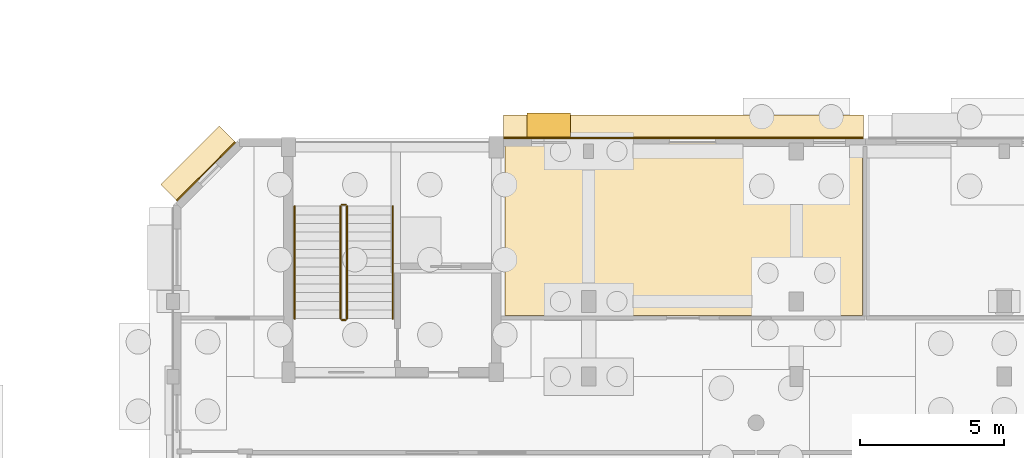
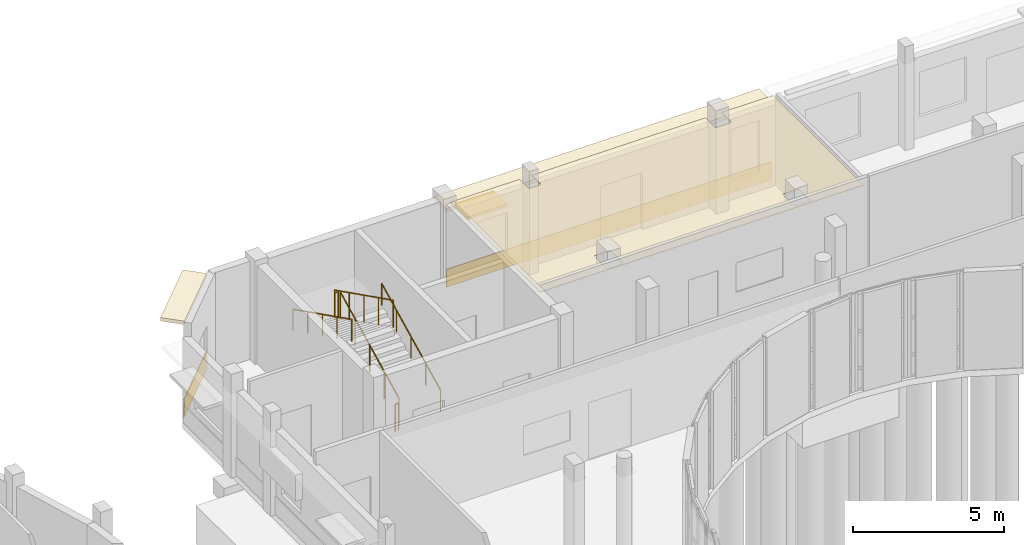
# One storey, part 86 of 93: 6 railings, 5 coverings, 1 shading device.
"""IFC4 building model written with IfcOpenShell, lengths in metres."""

from ifc_helpers import new_model, si_unit, direction, frame, origin, origin_2d, place, context, subcontext, project, spatial, polyline, rectangle, circle, outline, extrude, material, layer, layer_set, type_object, element, save


model = new_model("IFC4")

# Units and contexts
model_context = context("Model", 3, precision=1e-05, world=origin(), true_north=direction((0.0, 1.0)))
body_context = subcontext(model_context, "Body", "Model", "MODEL_VIEW")
ifc_project = project(units=[si_unit("LENGTHUNIT", "METRE"), si_unit("AREAUNIT", "SQUARE_METRE"), si_unit("VOLUMEUNIT", "CUBIC_METRE"), si_unit("PLANEANGLEUNIT", "RADIAN"), si_unit("MASSUNIT", "GRAM", prefix="KILO")], contexts=[model_context])

# Site, building, storey
site_placement = place(None, origin())
site = spatial("IfcSite", under=ifc_project, at=site_placement, CompositionType="ELEMENT")
building_placement = place(site_placement, origin())
building = spatial("IfcBuilding", under=site, at=building_placement, Name="Kelanivale Promenade Academy", CompositionType="ELEMENT")
storey_placement = place(building_placement, origin())
storey = spatial("IfcBuildingStorey", under=building, at=storey_placement, Name="L00", CompositionType="ELEMENT", Elevation=0.0)

# Coverings
ifc_material_1 = material(Name="Warm ivory Art Deco stucco frieze band 40 mm", Category="masonry")
ifc_layer_1 = layer(ifc_material_1, 0.0400390625)
ifc_layer_set_1 = layer_set([ifc_layer_1], Name="Warm ivory Art Deco stucco frieze band 40 mm")
covering_type_1 = type_object("IfcCoveringType", Name="COV-CLD2 Warm ivory Art Deco stucco frieze ba", PredefinedType="CLADDING", material=ifc_layer_set_1)
covering_1_placement = place(storey_placement, frame((60.883056640625, 80.25, 3.115234375), z_axis=(0.0, 0.0, 1.0), x_axis=(-1.0, 0.0, 0.0)))
element("IfcCovering", 1, at=covering_1_placement, inside=storey, type_object=covering_type_1, Name="Art Deco projecting 820 mm streamline sunshade eyebrow ledge", PredefinedType="CLADDING", context=body_context, shape_type="SweptSolid", body=[
    extrude(rectangle(XDim=12.47509765625, YDim=0.820068359375, at=origin_2d()), origin(), (0.0, 0.0, 1.0), 0.139892578125),
])
covering_2_placement = place(storey_placement, frame((60.883056640625, 79.864990234375, 0.06005859375), z_axis=(0.0, 0.0, 1.0), x_axis=(-1.0, 0.0, 0.0)))
element("IfcCovering", 2, at=covering_2_placement, inside=storey, type_object=covering_type_1, Name="Art Deco ivory stucco sill frieze band", PredefinedType="CLADDING", context=body_context, shape_type="SweptSolid", body=[
    extrude(rectangle(XDim=12.47509765625, YDim=0.0400390625, at=origin_2d()), origin(), (0.0, 0.0, 1.0), 0.719970703125),
])
covering_3_placement = place(storey_placement, frame((44.072021484375, 78.97802734375, 3.81982421875), z_axis=(0.0, 0.0, 1.0), x_axis=(-0.707106781187, -0.707106781187, 0.0)))
element("IfcCovering", 3, at=covering_3_placement, inside=storey, type_object=covering_type_1, Name="Art Deco projecting 820 mm streamline sunshade eyebrow ledge", PredefinedType="CLADDING", context=body_context, shape_type="SweptSolid", body=[
    extrude(rectangle(XDim=2.865966796875, YDim=0.820068359375, at=origin_2d()), origin(), (0.0, 0.0, 1.0), 0.139892578125),
])
covering_4_placement = place(storey_placement, frame((44.343994140625, 78.7060546875, 0.06005859375), z_axis=(0.0, 0.0, 1.0), x_axis=(-0.707106781187, -0.707106781187, 0.0)))
element("IfcCovering", 4, at=covering_4_placement, inside=storey, type_object=covering_type_1, Name="Art Deco ivory stucco sill frieze band", PredefinedType="CLADDING", context=body_context, shape_type="SweptSolid", body=[
    extrude(rectangle(XDim=2.865966796875, YDim=0.0400390625, at=origin_2d()), origin(), (0.0, 0.0, 1.0), 0.719970703125),
])
ifc_material_2 = material(Name="Acoustic mineral-fibre ceiling tile 25 mm", Category="gypsum")
ifc_layer_2 = layer(ifc_material_2, 0.02490234375)
ifc_layer_set_2 = layer_set([ifc_layer_2], Name="Acoustic mineral-fibre ceiling tile 25 mm")
covering_type_2 = type_object("IfcCoveringType", Name="COV-CLG1 Acoustic mineral-fibre ceiling tile ", PredefinedType="CEILING", material=ifc_layer_set_2)
covering_5_placement = place(storey_placement, frame((0.0, 0.0, 3.550048828125)))
element("IfcCovering", 5, at=covering_5_placement, inside=storey, type_object=covering_type_2, Name="Junior Classroom North 1 acoustic suspended ceiling", PredefinedType="CEILING", context=body_context, shape_type="SweptSolid", body=[
    extrude(outline(polyline([(67.090087890625, 79.699951171875), (65.110107421875, 79.699951171875), (65.110107421875, 79.080078125), (65.110107421875, 79.075927734375), (65.10888671875, 79.072021484375), (65.10791015625, 79.068115234375), (65.10693359375, 79.06494140625), (65.10498046875, 79.06103515625), (65.10302734375, 79.05810546875), (65.10107421875, 79.054931640625), (65.097900390625, 79.052001953125), (65.094970703125, 79.049072265625), (65.092041015625, 79.047119140625), (65.089111328125, 79.044921875), (65.0849609375, 79.04296875), (65.08203125, 79.0419921875), (65.077880859375, 79.041015625), (65.073974609375, 79.0400390625), (65.070068359375, 79.0400390625), (64.530029296875, 79.0400390625), (64.52587890625, 79.0400390625), (64.52197265625, 79.041015625), (64.51806640625, 79.0419921875), (64.514892578125, 79.04296875), (64.510986328125, 79.044921875), (64.508056640625, 79.047119140625), (64.5048828125, 79.049072265625), (64.501953125, 79.052001953125), (64.4990234375, 79.054931640625), (64.4970703125, 79.05810546875), (64.4951171875, 79.06103515625), (64.492919921875, 79.06494140625), (64.491943359375, 79.068115234375), (64.490966796875, 79.072021484375), (64.489990234375, 79.075927734375), (64.489990234375, 79.080078125), (64.489990234375, 79.699951171875), (57.821044921875, 79.699951171875), (57.822998046875, 79.697998046875), (57.825927734375, 79.695068359375), (57.827880859375, 79.69189453125), (57.830078125, 79.68896484375), (57.83203125, 79.68505859375), (57.8330078125, 79.681884765625), (57.833984375, 79.677978515625), (57.8349609375, 79.674072265625), (57.8349609375, 79.669921875), (57.8349609375, 79.1298828125), (57.8349609375, 79.1259765625), (57.833984375, 79.1220703125), (57.8330078125, 79.117919921875), (57.83203125, 79.114990234375), (57.830078125, 79.111083984375), (57.827880859375, 79.10791015625), (57.825927734375, 79.10498046875), (57.822998046875, 79.10205078125), (57.820068359375, 79.09912109375), (57.81689453125, 79.096923828125), (57.81396484375, 79.094970703125), (57.81005859375, 79.093017578125), (57.806884765625, 79.092041015625), (57.802978515625, 79.091064453125), (57.799072265625, 79.090087890625), (57.794921875, 79.090087890625), (57.405029296875, 79.090087890625), (57.40087890625, 79.090087890625), (57.39697265625, 79.091064453125), (57.39306640625, 79.092041015625), (57.389892578125, 79.093017578125), (57.385986328125, 79.094970703125), (57.383056640625, 79.096923828125), (57.3798828125, 79.09912109375), (57.376953125, 79.10205078125), (57.3740234375, 79.10498046875), (57.3720703125, 79.10791015625), (57.3701171875, 79.111083984375), (57.367919921875, 79.114990234375), (57.366943359375, 79.117919921875), (57.365966796875, 79.1220703125), (57.364990234375, 79.1259765625), (57.364990234375, 79.1298828125), (57.364990234375, 79.669921875), (57.364990234375, 79.674072265625), (57.365966796875, 79.677978515625), (57.366943359375, 79.681884765625), (57.367919921875, 79.68505859375), (57.3701171875, 79.68896484375), (57.3720703125, 79.69189453125), (57.3740234375, 79.695068359375), (57.376953125, 79.697998046875), (57.37890625, 79.699951171875), (54.7099609375, 79.699951171875), (54.7099609375, 79.155029296875), (54.7099609375, 73.7099609375), (67.090087890625, 73.7099609375), (67.090087890625, 79.699951171875)]), holes=[polyline([(65.110107421875, 73.85498046875), (65.110107421875, 73.85107421875), (65.10888671875, 73.846923828125), (65.10791015625, 73.843017578125), (65.10693359375, 73.840087890625), (65.10498046875, 73.8359375), (65.10302734375, 73.8330078125), (65.10107421875, 73.830078125), (65.097900390625, 73.826904296875), (65.094970703125, 73.823974609375), (65.092041015625, 73.822021484375), (65.089111328125, 73.820068359375), (65.0849609375, 73.818115234375), (65.08203125, 73.81689453125), (65.077880859375, 73.81591796875), (65.073974609375, 73.81494140625), (65.070068359375, 73.81494140625), (64.530029296875, 73.81494140625), (64.52587890625, 73.81494140625), (64.52197265625, 73.81591796875), (64.51806640625, 73.81689453125), (64.514892578125, 73.818115234375), (64.510986328125, 73.820068359375), (64.508056640625, 73.822021484375), (64.5048828125, 73.823974609375), (64.501953125, 73.826904296875), (64.4990234375, 73.830078125), (64.4970703125, 73.8330078125), (64.4951171875, 73.8359375), (64.492919921875, 73.840087890625), (64.491943359375, 73.843017578125), (64.490966796875, 73.846923828125), (64.489990234375, 73.85107421875), (64.489990234375, 73.85498046875), (64.489990234375, 74.544921875), (64.489990234375, 74.549072265625), (64.490966796875, 74.552978515625), (64.491943359375, 74.556884765625), (64.492919921875, 74.56005859375), (64.4951171875, 74.56396484375), (64.4970703125, 74.56689453125), (64.4990234375, 74.570068359375), (64.501953125, 74.572998046875), (64.5048828125, 74.575927734375), (64.508056640625, 74.577880859375), (64.510986328125, 74.580078125), (64.514892578125, 74.58203125), (64.51806640625, 74.5830078125), (64.52197265625, 74.583984375), (64.52587890625, 74.5849609375), (64.530029296875, 74.5849609375), (65.070068359375, 74.5849609375), (65.073974609375, 74.5849609375), (65.077880859375, 74.583984375), (65.08203125, 74.5830078125), (65.0849609375, 74.58203125), (65.089111328125, 74.580078125), (65.092041015625, 74.577880859375), (65.094970703125, 74.575927734375), (65.097900390625, 74.572998046875), (65.10107421875, 74.570068359375), (65.10302734375, 74.56689453125), (65.10498046875, 74.56396484375), (65.10693359375, 74.56005859375), (65.10791015625, 74.556884765625), (65.10888671875, 74.552978515625), (65.110107421875, 74.549072265625), (65.110107421875, 74.544921875), (65.110107421875, 73.85498046875)]), polyline([(57.909912109375, 73.804931640625), (57.909912109375, 73.801025390625), (57.908935546875, 73.797119140625), (57.907958984375, 73.79296875), (57.906982421875, 73.7900390625), (57.905029296875, 73.785888671875), (57.903076171875, 73.782958984375), (57.90087890625, 73.780029296875), (57.89794921875, 73.777099609375), (57.89501953125, 73.77392578125), (57.89208984375, 73.77197265625), (57.888916015625, 73.77001953125), (57.885009765625, 73.76806640625), (57.882080078125, 73.76708984375), (57.8779296875, 73.76611328125), (57.8740234375, 73.764892578125), (57.8701171875, 73.764892578125), (57.330078125, 73.764892578125), (57.325927734375, 73.764892578125), (57.322021484375, 73.76611328125), (57.318115234375, 73.76708984375), (57.31494140625, 73.76806640625), (57.31103515625, 73.77001953125), (57.30810546875, 73.77197265625), (57.304931640625, 73.77392578125), (57.302001953125, 73.777099609375), (57.299072265625, 73.780029296875), (57.297119140625, 73.782958984375), (57.294921875, 73.785888671875), (57.29296875, 73.7900390625), (57.2919921875, 73.79296875), (57.291015625, 73.797119140625), (57.2900390625, 73.801025390625), (57.2900390625, 73.804931640625), (57.2900390625, 74.594970703125), (57.2900390625, 74.59912109375), (57.291015625, 74.60302734375), (57.2919921875, 74.60693359375), (57.29296875, 74.610107421875), (57.294921875, 74.614013671875), (57.297119140625, 74.616943359375), (57.299072265625, 74.6201171875), (57.302001953125, 74.623046875), (57.304931640625, 74.6259765625), (57.30810546875, 74.6279296875), (57.31103515625, 74.6298828125), (57.31494140625, 74.632080078125), (57.318115234375, 74.633056640625), (57.322021484375, 74.634033203125), (57.325927734375, 74.635009765625), (57.330078125, 74.635009765625), (57.8701171875, 74.635009765625), (57.8740234375, 74.635009765625), (57.8779296875, 74.634033203125), (57.882080078125, 74.633056640625), (57.885009765625, 74.632080078125), (57.888916015625, 74.6298828125), (57.89208984375, 74.6279296875), (57.89501953125, 74.6259765625), (57.89794921875, 74.623046875), (57.90087890625, 74.6201171875), (57.903076171875, 74.616943359375), (57.905029296875, 74.614013671875), (57.906982421875, 74.610107421875), (57.907958984375, 74.60693359375), (57.908935546875, 74.60302734375), (57.909912109375, 74.59912109375), (57.909912109375, 74.594970703125), (57.909912109375, 73.804931640625)])]), origin(), (0.0, 0.0, 1.0), 0.02490234375),
])

# Railings
ifc_material_3 = material(Name="Brushed stainless steel grade 316", Category="steel")
railing_type_1 = type_object("IfcRailingType", Name="GR-01 Stair Guard 1100mm", PredefinedType="BALUSTRADE", material=ifc_material_3)
railing_1_placement = place(storey_placement, frame((49.22509765625, 73.60498046875, 0.14990234375)))
element("IfcRailing", 6, at=railing_1_placement, inside=storey, type_object=railing_type_1, Name="L00 ST-04 stair guard 1", PredefinedType="BALUSTRADE", context=body_context, shape_type="SweptSolid", body=[
    extrude(circle(Radius=0.02392578125, at=origin_2d()), frame((0.0, 0.0, 1.09619140625), z_axis=(0.0, 0.894404793364, 0.447258387967), x_axis=(-1.0, 0.0, 0.0)), (0.0, 0.0, 1.0), 4.3603515625),
    extrude(circle(Radius=0.02099609375, at=origin_2d()), origin(), (0.0, 0.0, 1.0), 1.072021484375),
    extrude(circle(Radius=0.02099609375, at=origin_2d()), frame((0.0, 0.97509765625, 0.487548828125)), (0.0, 0.0, 1.0), 1.072021484375),
    extrude(circle(Radius=0.02099609375, at=origin_2d()), frame((0.0, 1.949951171875, 0.97509765625)), (0.0, 0.0, 1.0), 1.072021484375),
    extrude(circle(Radius=0.02099609375, at=origin_2d()), frame((0.0, 2.9248046875, 1.462646484375)), (0.0, 0.0, 1.0), 1.072021484375),
    extrude(circle(Radius=0.02099609375, at=origin_2d()), frame((0.0, 3.89990234375, 1.9501953125)), (0.0, 0.0, 1.0), 1.072021484375),
])
railing_2_placement = place(storey_placement, frame((49.175048828125, 77.554931640625, 2.10009765625)))
element("IfcRailing", 7, at=railing_2_placement, inside=storey, type_object=railing_type_1, Name="L00 ST-04 stair guard 2", PredefinedType="BALUSTRADE", context=body_context, shape_type="SweptSolid", body=[
    extrude(circle(Radius=0.02392578125, at=origin_2d()), frame((0.0, 0.0, 1.09619140625), z_axis=(-1.0, 0.0, 0.0), x_axis=(0.0, -1.0, 0.0)), (0.0, 0.0, 1.0), 0.1201171875),
    extrude(circle(Radius=0.02099609375, at=origin_2d()), origin(), (0.0, 0.0, 1.0), 1.072021484375),
    extrude(circle(Radius=0.02099609375, at=origin_2d()), frame((-0.1201171875, 0.0, 0.0)), (0.0, 0.0, 1.0), 1.072021484375),
])
railing_3_placement = place(storey_placement, frame((49.0048828125, 77.5048828125, 2.25)))
element("IfcRailing", 8, at=railing_3_placement, inside=storey, type_object=railing_type_1, Name="L00 ST-04 stair guard 3", PredefinedType="BALUSTRADE", context=body_context, shape_type="SweptSolid", body=[
    extrude(circle(Radius=0.02392578125, at=origin_2d()), frame((0.0, 0.0, 1.09619140625), z_axis=(0.0, -0.894427191, 0.4472135955), x_axis=(1.0, 0.0, 0.0)), (0.0, 0.0, 1.0), 4.360107421875),
    extrude(circle(Radius=0.02099609375, at=origin_2d()), origin(), (0.0, 0.0, 1.0), 1.072021484375),
    extrude(circle(Radius=0.02099609375, at=origin_2d()), frame((0.0, -0.97509765625, 0.487548828125)), (0.0, 0.0, 1.0), 1.072021484375),
    extrude(circle(Radius=0.02099609375, at=origin_2d()), frame((0.0, -1.949951171875, 0.97509765625)), (0.0, 0.0, 1.0), 1.072021484375),
    extrude(circle(Radius=0.02099609375, at=origin_2d()), frame((0.0, -2.9248046875, 1.46240234375)), (0.0, 0.0, 1.0), 1.072021484375),
    extrude(circle(Radius=0.02099609375, at=origin_2d()), frame((0.0, -3.89990234375, 1.949951171875)), (0.0, 0.0, 1.0), 1.072021484375),
])
railing_4_placement = place(storey_placement, frame((49.175048828125, 73.554931640625, 0.0)))
element("IfcRailing", 9, at=railing_4_placement, inside=storey, type_object=railing_type_1, Name="L00 ST-04 stair guard 4", PredefinedType="BALUSTRADE", context=body_context, shape_type="SweptSolid", body=[
    extrude(circle(Radius=0.02392578125, at=origin_2d()), frame((0.0, 0.0, 1.09619140625), z_axis=(-1.0, 0.0, 0.0), x_axis=(0.0, -1.0, 0.0)), (0.0, 0.0, 1.0), 0.1201171875),
    extrude(circle(Radius=0.02099609375, at=origin_2d()), origin(), (0.0, 0.0, 1.0), 1.072021484375),
    extrude(circle(Radius=0.02099609375, at=origin_2d()), frame((-0.1201171875, 0.0, 0.0)), (0.0, 0.0, 1.0), 1.072021484375),
])
railing_type_2 = type_object("IfcRailingType", Name="HR-01 Pitch Handrail 900mm", PredefinedType="HANDRAIL", material=ifc_material_3)
railing_5_placement = place(storey_placement, frame((50.81494140625, 73.60498046875, 0.14990234375)))
element("IfcRailing", 10, at=railing_5_placement, inside=storey, type_object=railing_type_2, Name="L00 ST-04 stair handrail 1", PredefinedType="HANDRAIL", context=body_context, shape_type="SweptSolid", body=[
    extrude(circle(Radius=0.02392578125, at=origin_2d()), frame((0.0, 0.0, 0.8759765625), z_axis=(0.0, 0.894404793364, 0.447258387967), x_axis=(-1.0, 0.0, 0.0)), (0.0, 0.0, 1.0), 4.3603515625),
    extrude(circle(Radius=0.02099609375, at=origin_2d()), origin(), (0.0, 0.0, 1.0), 0.851806640625),
    extrude(circle(Radius=0.02099609375, at=origin_2d()), frame((0.0, 0.97509765625, 0.487548828125)), (0.0, 0.0, 1.0), 0.851806640625),
    extrude(circle(Radius=0.02099609375, at=origin_2d()), frame((0.0, 1.949951171875, 0.97509765625)), (0.0, 0.0, 1.0), 0.851806640625),
    extrude(circle(Radius=0.02099609375, at=origin_2d()), frame((0.0, 2.9248046875, 1.462646484375)), (0.0, 0.0, 1.0), 0.851806640625),
    extrude(circle(Radius=0.02099609375, at=origin_2d()), frame((0.0, 3.89990234375, 1.9501953125)), (0.0, 0.0, 1.0), 0.851806640625),
])
railing_6_placement = place(storey_placement, frame((47.4150390625, 77.5048828125, 2.25)))
element("IfcRailing", 11, at=railing_6_placement, inside=storey, type_object=railing_type_2, Name="L00 ST-04 stair handrail 2", PredefinedType="HANDRAIL", context=body_context, shape_type="SweptSolid", body=[
    extrude(circle(Radius=0.02392578125, at=origin_2d()), frame((0.0, 0.0, 0.8759765625), z_axis=(0.0, -0.894427191, 0.4472135955), x_axis=(1.0, 0.0, 0.0)), (0.0, 0.0, 1.0), 4.360107421875),
    extrude(circle(Radius=0.02099609375, at=origin_2d()), origin(), (0.0, 0.0, 1.0), 0.851806640625),
    extrude(circle(Radius=0.02099609375, at=origin_2d()), frame((0.0, -0.97509765625, 0.487548828125)), (0.0, 0.0, 1.0), 0.851806640625),
    extrude(circle(Radius=0.02099609375, at=origin_2d()), frame((0.0, -1.949951171875, 0.97509765625)), (0.0, 0.0, 1.0), 0.851806640625),
    extrude(circle(Radius=0.02099609375, at=origin_2d()), frame((0.0, -2.9248046875, 1.46240234375)), (0.0, 0.0, 1.0), 0.851806640625),
    extrude(circle(Radius=0.02099609375, at=origin_2d()), frame((0.0, -3.89990234375, 1.949951171875)), (0.0, 0.0, 1.0), 0.851806640625),
])

# Shading device
ifc_material_4 = material(Name="Precast concrete C40/50", Category="concrete")
ifc_layer_3 = layer(ifc_material_4, 0.1201171875)
ifc_layer_set_3 = layer_set([ifc_layer_3], Name="Precast concrete C40/50")
shading_device_type = type_object("IfcShadingDeviceType", Name="SHD-01 Art Deco Sunshade Eyebrow 900mm", PredefinedType="USERDEFINED", material=ifc_layer_set_3)
shading_device_placement = place(storey_placement, frame((56.220947265625, 80.2900390625, 2.510009765625), z_axis=(0.0, 0.0, 1.0), x_axis=(-1.0, 0.0, 0.0)))
element("IfcShadingDevice", 12, at=shading_device_placement, inside=storey, type_object=shading_device_type, Name="Art Deco 900 mm precast chajja window sunshade", ObjectType="SUNSHADE", PredefinedType="USERDEFINED", context=body_context, shape_type="SweptSolid", body=[
    extrude(rectangle(XDim=1.5, YDim=0.89990234375, at=origin_2d()), origin(), (0.0, 0.0, 1.0), 0.1201171875),
])

save(model, "model.ifc")
